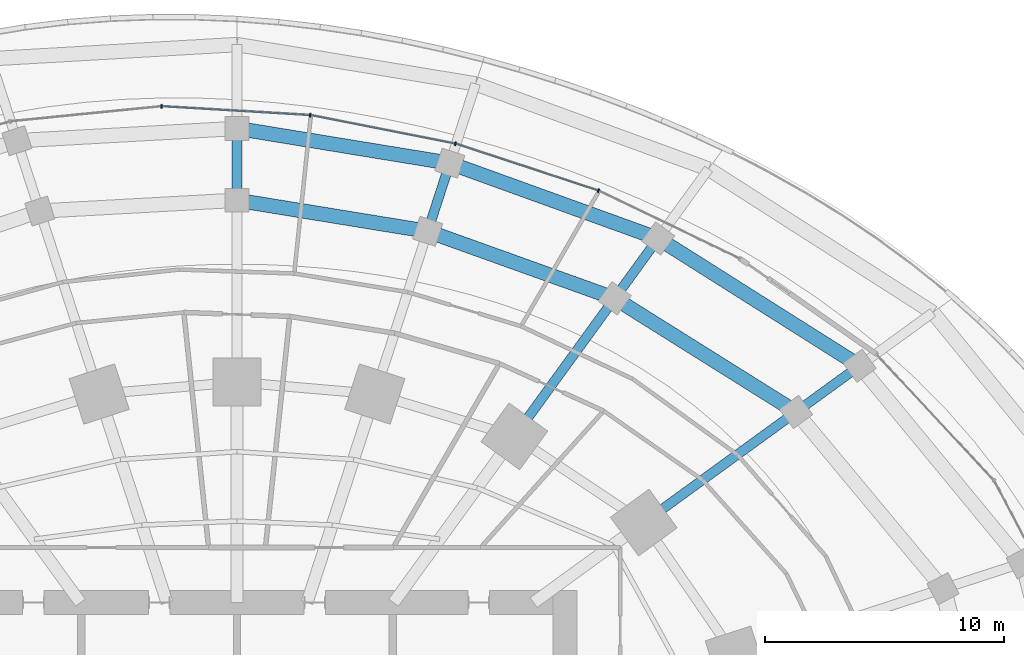
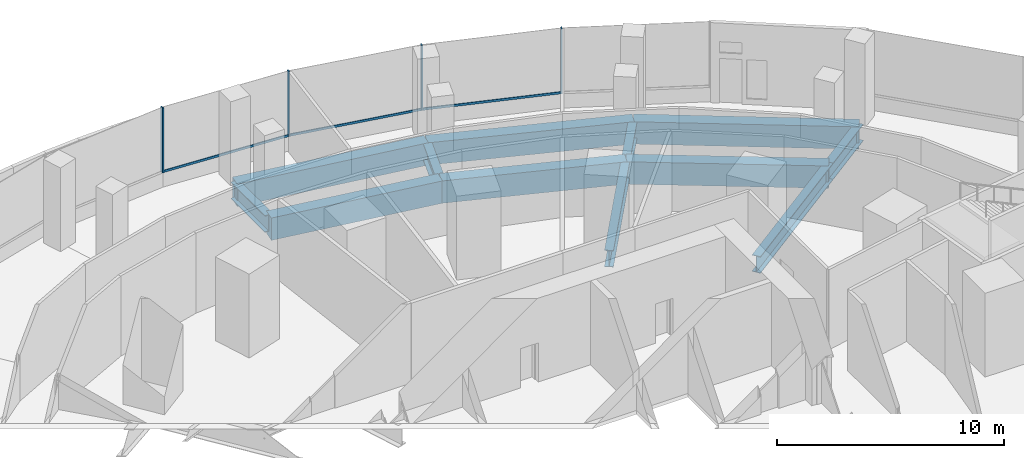
# One storey, part 12 of 27: 12 beams, 7 members, 1 element without a shape of its own.
"""IFC4 building model written with IfcOpenShell, lengths in metres."""

from ifc_helpers import new_model, si_unit, direction, frame, origin, origin_2d, place, context, subcontext, project, spatial, rectangle, i_section, extrude, material, material_profile, profile_set, type_object, element, aggregate, save


model = new_model("IFC4")

# Units and contexts
model_context = context("Model", 3, precision=1e-05, world=origin(), true_north=direction((0.0, 1.0)))
body_context = subcontext(model_context, "Body", "Model", "MODEL_VIEW")
ifc_project = project(units=[si_unit("LENGTHUNIT", "METRE"), si_unit("AREAUNIT", "SQUARE_METRE"), si_unit("VOLUMEUNIT", "CUBIC_METRE"), si_unit("PLANEANGLEUNIT", "RADIAN"), si_unit("MASSUNIT", "GRAM", prefix="KILO")], contexts=[model_context])

# Site, building, storey
site_placement = place(None, origin())
site = spatial("IfcSite", under=ifc_project, at=site_placement, CompositionType="ELEMENT")
building_placement = place(site_placement, origin())
building = spatial("IfcBuilding", under=site, at=building_placement, Name="Marramba Exchange Tower", CompositionType="ELEMENT")
storey_placement = place(building_placement, frame((0.0, 0.0, 10.60009765625)))
storey = spatial("IfcBuildingStorey", under=building, at=storey_placement, Name="L02", CompositionType="ELEMENT", Elevation=10.60009765625)

# Beams
ifc_material_1 = material(Name="Concrete N50", Category="concrete")
ifc_material_profile_1 = material_profile(ifc_material_1, rectangle(XDim=0.60009765625, YDim=1.199951171875, at=origin_2d()), Name="RC 600x1200")
ifc_profile_set_1 = profile_set([ifc_material_profile_1], Name="Concrete N50")
beam_type_1 = type_object("IfcBeamType", Name="Edge beam RC 600x1200 N50", PredefinedType="SPANDREL", material=ifc_profile_set_1)
beam_1_placement = place(storey_placement, frame((25.99658203125, 18.8876953125, -0.800048828125), z_axis=(-0.845320367889, 0.534259745473, 0.0), x_axis=(-0.534259745473, -0.845320367889, 0.0)))
element("IfcBeam", 1, at=beam_1_placement, inside=storey, type_object=beam_type_1, Name="Edge beam L02 P2C03", PredefinedType="SPANDREL", context=body_context, shape_type="SweptSolid", body=[
    extrude(rectangle(XDim=0.60009765625, YDim=1.199951171875, at=origin_2d()), origin(), (0.0, 0.0, 1.0), 9.950439453125),
])
beam_2_placement = place(storey_placement, frame((17.585205078125, 24.203857421875, -0.800048828125), z_axis=(-0.940481976413, 0.339843569958, 0.0), x_axis=(-0.339843569958, -0.940481976413, 0.0)))
element("IfcBeam", 2, at=beam_2_placement, inside=storey, type_object=beam_type_1, Name="Edge beam L02 P2C04", PredefinedType="SPANDREL", context=body_context, shape_type="SweptSolid", body=[
    extrude(rectangle(XDim=0.60009765625, YDim=1.199951171875, at=origin_2d()), origin(), (0.0, 0.0, 1.0), 9.25),
])
beam_3_placement = place(storey_placement, frame((8.8857421875, 27.347412109375, -0.800048828125), z_axis=(-0.986899242558, 0.161337797923, 0.0), x_axis=(-0.161337797923, -0.986899242558, 0.0)))
element("IfcBeam", 3, at=beam_3_placement, inside=storey, type_object=beam_type_1, Name="Edge beam L02 P2C05", PredefinedType="SPANDREL", context=body_context, shape_type="SweptSolid", body=[
    extrude(rectangle(XDim=0.60009765625, YDim=1.199951171875, at=origin_2d()), origin(), (0.0, 0.0, 1.0), 9.003662109375),
])
beam_4_placement = place(storey_placement, frame((23.34228515625, 16.959228515625, -0.800048828125), z_axis=(-0.847342315291, 0.531047079567, 0.0), x_axis=(-0.531047079567, -0.847342315291, 0.0)))
element("IfcBeam", 4, at=beam_4_placement, inside=storey, type_object=beam_type_1, Name="Edge beam L02 P3C03", PredefinedType="SPANDREL", context=body_context, shape_type="SweptSolid", body=[
    extrude(rectangle(XDim=0.60009765625, YDim=1.199951171875, at=origin_2d()), origin(), (0.0, 0.0, 1.0), 8.936767578125),
])
beam_5_placement = place(storey_placement, frame((15.769775390625, 21.705078125, -0.800048828125), z_axis=(-0.941347695699, 0.337438165895, 0.0), x_axis=(-0.337438165895, -0.941347695699, 0.0)))
element("IfcBeam", 5, at=beam_5_placement, inside=storey, type_object=beam_type_1, Name="Edge beam L02 P3C04", PredefinedType="SPANDREL", context=body_context, shape_type="SweptSolid", body=[
    extrude(rectangle(XDim=0.60009765625, YDim=1.199951171875, at=origin_2d()), origin(), (0.0, 0.0, 1.0), 8.29443359375),
])
beam_6_placement = place(storey_placement, frame((7.9619140625, 24.50390625, -0.800048828125), z_axis=(-0.987006935066, 0.160677659091, 0.0), x_axis=(-0.160677659091, -0.987006935066, 0.0)))
element("IfcBeam", 6, at=beam_6_placement, inside=storey, type_object=beam_type_1, Name="Edge beam L02 P3C05", PredefinedType="SPANDREL", context=body_context, shape_type="SweptSolid", body=[
    extrude(rectangle(XDim=0.60009765625, YDim=1.199951171875, at=origin_2d()), origin(), (0.0, 0.0, 1.0), 8.066650390625),
])

# Curtain wall, members
ifc_material_2 = material(Name="Aluminium framing, bronze anodised", Category="aluminium")
curtain_wall_type = type_object("IfcCurtainWallType", Name="Podium ribbon curtain wall", PredefinedType="USERDEFINED", material=ifc_material_2)
curtain_wall_placement = place(storey_placement, origin())
curtain_wall = element("IfcCurtainWall", 7, at=curtain_wall_placement, inside=storey, type_object=curtain_wall_type, Name="Curtain wall CW2 L02 F06-F10", ObjectType="RIBBON CURTAIN WALL", PredefinedType="USERDEFINED")
ifc_material_3 = material(Name="Aluminium mullion, bronze anodised", Category="aluminium")
ifc_material_profile_2 = material_profile(ifc_material_3, rectangle(XDim=0.159912109375, YDim=0.06005859375, at=origin_2d()), Name="CW2 mullion 60x160")
ifc_profile_set_2 = profile_set([ifc_material_profile_2], Name="Aluminium mullion, bronze anodised")
member_type_1 = type_object("IfcMemberType", Name="Podium ribbon curtain wall mullion", PredefinedType="MULLION", material=ifc_profile_set_2)
member_1_placement = place(storey_placement, frame((15.09228515625, 26.199462890625, 0.7998046875), z_axis=(0.0, 0.0, 1.0), x_axis=(-0.312652272713, -0.949867652027, 0.0)))
member_1 = element("IfcMember", 8, at=member_1_placement, type_object=member_type_1, Name="CW2 mullion 1", PredefinedType="MULLION", context=body_context, shape_type="SweptSolid", body=[
    extrude(rectangle(XDim=0.159912109375, YDim=0.06005859375, at=origin_2d()), origin(), (0.0, 0.0, 1.0), 3.5),
])
member_2_placement = place(storey_placement, frame((9.118896484375, 28.16162109375, 0.7998046875), z_axis=(0.0, 0.0, 1.0), x_axis=(-0.19366814038, -0.981067098318, 0.0)))
member_2 = element("IfcMember", 9, at=member_2_placement, type_object=member_type_1, Name="CW2 mullion 1", PredefinedType="MULLION", context=body_context, shape_type="SweptSolid", body=[
    extrude(rectangle(XDim=0.159912109375, YDim=0.06005859375, at=origin_2d()), origin(), (0.0, 0.0, 1.0), 3.5),
])
member_3_placement = place(storey_placement, frame((3.05517578125, 29.3544921875, 0.7998046875), z_axis=(0.0, 0.0, 1.0), x_axis=(-0.059389906272, -0.99823486166, 0.0)))
member_3 = element("IfcMember", 10, at=member_3_placement, type_object=member_type_1, Name="CW2 mullion 1", PredefinedType="MULLION", context=body_context, shape_type="SweptSolid", body=[
    extrude(rectangle(XDim=0.159912109375, YDim=0.06005859375, at=origin_2d()), origin(), (0.0, 0.0, 1.0), 3.5),
])
member_4_placement = place(storey_placement, frame((-3.15380859375, 29.71923828125, 0.7998046875), z_axis=(0.0, 0.0, 1.0), x_axis=(0.098937491458, -0.995093650258, 0.0)))
member_4 = element("IfcMember", 11, at=member_4_placement, type_object=member_type_1, Name="CW2 mullion 1", PredefinedType="MULLION", context=body_context, shape_type="SweptSolid", body=[
    extrude(rectangle(XDim=0.159912109375, YDim=0.06005859375, at=origin_2d()), origin(), (0.0, 0.0, 1.0), 3.5),
])
ifc_material_4 = material(Name="Aluminium transom, bronze anodised", Category="aluminium")
ifc_material_profile_3 = material_profile(ifc_material_4, rectangle(XDim=0.06005859375, YDim=0.1201171875, at=origin_2d()), Name="CW2 transom 60x120")
ifc_profile_set_3 = profile_set([ifc_material_profile_3], Name="Aluminium transom, bronze anodised")
member_type_2 = type_object("IfcMemberType", Name="Podium ribbon curtain wall transom", PredefinedType="USERDEFINED", material=ifc_profile_set_3)
member_5_placement = place(storey_placement, frame((15.063720703125, 26.208740234375, 0.829833984375), z_axis=(-0.94986835547, 0.312650135576, 0.0), x_axis=(-0.312650135576, -0.94986835547, 0.0)))
member_5 = element("IfcMember", 12, at=member_5_placement, type_object=member_type_2, Name="CW2 sill transom", ObjectType="TRANSOM", PredefinedType="USERDEFINED", context=body_context, shape_type="SweptSolid", body=[
    extrude(rectangle(XDim=0.06005859375, YDim=0.1201171875, at=origin_2d()), origin(), (0.0, 0.0, 1.0), 6.2275390625),
])
member_6_placement = place(storey_placement, frame((9.089599609375, 28.16748046875, 0.829833984375), z_axis=(-0.981067047964, 0.193668395457, 0.0), x_axis=(-0.193668395457, -0.981067047964, 0.0)))
member_6 = element("IfcMember", 13, at=member_6_placement, type_object=member_type_2, Name="CW2 sill transom", ObjectType="TRANSOM", PredefinedType="USERDEFINED", context=body_context, shape_type="SweptSolid", body=[
    extrude(rectangle(XDim=0.06005859375, YDim=0.1201171875, at=origin_2d()), origin(), (0.0, 0.0, 1.0), 6.120361328125),
])
member_7_placement = place(storey_placement, frame((3.025146484375, 29.3564453125, 0.829833984375), z_axis=(-0.998236033061, 0.059370213901, 0.0), x_axis=(-0.059370213901, -0.998236033061, 0.0)))
member_7 = element("IfcMember", 14, at=member_7_placement, type_object=member_type_2, Name="CW2 sill transom", ObjectType="TRANSOM", PredefinedType="USERDEFINED", context=body_context, shape_type="SweptSolid", body=[
    extrude(rectangle(XDim=0.06005859375, YDim=0.1201171875, at=origin_2d()), origin(), (0.0, 0.0, 1.0), 6.16015625),
])
aggregate(curtain_wall, [member_1, member_5, member_2, member_6, member_3, member_7, member_4])

# Beams
ifc_material_5 = material(Name="Steel AS/NZS 3679.2 grade 300", Category="steel")
ifc_material_profile_4 = material_profile(ifc_material_5, i_section(OverallWidth=0.39990234375, OverallDepth=0.89990234375, WebThickness=0.01611328125, FlangeThickness=0.031982421875, at=origin_2d()), Name="900WB282")
ifc_profile_set_4 = profile_set([ifc_material_profile_4], Name="Steel AS/NZS 3679.2 grade 300")
beam_type_2 = type_object("IfcBeamType", Name="Radial girder 900WB282", PredefinedType="BEAM", material=ifc_profile_set_4)
beam_7_placement = place(storey_placement, frame((25.99658203125, 18.8876953125, -0.650146484375), z_axis=(-0.809015945709, -0.587786695655, 0.0), x_axis=(0.587786695655, -0.809015945709, 0.0)))
element("IfcBeam", 15, at=beam_7_placement, inside=storey, type_object=beam_type_2, Name="Radial girder L02 P2C03", PredefinedType="BEAM", context=body_context, shape_type="SweptSolid", body=[
    extrude(i_section(OverallWidth=0.39990234375, OverallDepth=0.89990234375, WebThickness=0.01611328125, FlangeThickness=0.031982421875, at=origin_2d()), origin(), (0.0, 0.0, 1.0), 3.281005859375),
])
beam_8_placement = place(storey_placement, frame((17.585205078125, 24.203857421875, -0.650146484375), z_axis=(-0.587776831065, -0.809023112688, 0.0), x_axis=(0.809023112688, -0.587776831065, 0.0)))
element("IfcBeam", 16, at=beam_8_placement, inside=storey, type_object=beam_type_2, Name="Radial girder L02 P2C04", PredefinedType="BEAM", context=body_context, shape_type="SweptSolid", body=[
    extrude(i_section(OverallWidth=0.39990234375, OverallDepth=0.89990234375, WebThickness=0.01611328125, FlangeThickness=0.031982421875, at=origin_2d()), origin(), (0.0, 0.0, 1.0), 3.088623046875),
])
beam_9_placement = place(storey_placement, frame((8.8857421875, 27.347412109375, -0.650146484375), z_axis=(-0.308991903915, -0.951064668314, 0.0), x_axis=(0.951064668314, -0.308991903915, 0.0)))
element("IfcBeam", 17, at=beam_9_placement, inside=storey, type_object=beam_type_2, Name="Radial girder L02 P2C05", PredefinedType="BEAM", context=body_context, shape_type="SweptSolid", body=[
    extrude(i_section(OverallWidth=0.39990234375, OverallDepth=0.89990234375, WebThickness=0.01611328125, FlangeThickness=0.031982421875, at=origin_2d()), origin(), (0.0, 0.0, 1.0), 2.98974609375),
])
beam_10_placement = place(storey_placement, frame((0.0, 28.800048828125, -0.650146484375), z_axis=(0.0, -1.0, 0.0), x_axis=(1.0, 0.0, 0.0)))
element("IfcBeam", 18, at=beam_10_placement, inside=storey, type_object=beam_type_2, Name="Radial girder L02 P2C06", PredefinedType="BEAM", context=body_context, shape_type="SweptSolid", body=[
    extrude(i_section(OverallWidth=0.39990234375, OverallDepth=0.89990234375, WebThickness=0.01611328125, FlangeThickness=0.031982421875, at=origin_2d()), origin(), (0.0, 0.0, 1.0), 3.0),
])
beam_11_placement = place(storey_placement, frame((23.34228515625, 16.959228515625, -0.650146484375), z_axis=(-0.809006078677, -0.587800276169, 0.0), x_axis=(0.587800276169, -0.809006078677, 0.0)))
element("IfcBeam", 19, at=beam_11_placement, inside=storey, type_object=beam_type_2, Name="Radial girder L02 P3C03", PredefinedType="BEAM", context=body_context, shape_type="SweptSolid", body=[
    extrude(i_section(OverallWidth=0.39990234375, OverallDepth=0.89990234375, WebThickness=0.01611328125, FlangeThickness=0.031982421875, at=origin_2d()), origin(), (0.0, 0.0, 1.0), 7.857177734375),
])
beam_12_placement = place(storey_placement, frame((15.769775390625, 21.705078125, -0.650146484375), z_axis=(-0.587804937429, -0.80900269192, 0.0), x_axis=(0.80900269192, -0.587804937429, 0.0)))
element("IfcBeam", 20, at=beam_12_placement, inside=storey, type_object=beam_type_2, Name="Radial girder L02 P3C04", PredefinedType="BEAM", context=body_context, shape_type="SweptSolid", body=[
    extrude(i_section(OverallWidth=0.39990234375, OverallDepth=0.89990234375, WebThickness=0.01611328125, FlangeThickness=0.031982421875, at=origin_2d()), origin(), (0.0, 0.0, 1.0), 7.125732421875),
])

save(model, "model.ifc")
